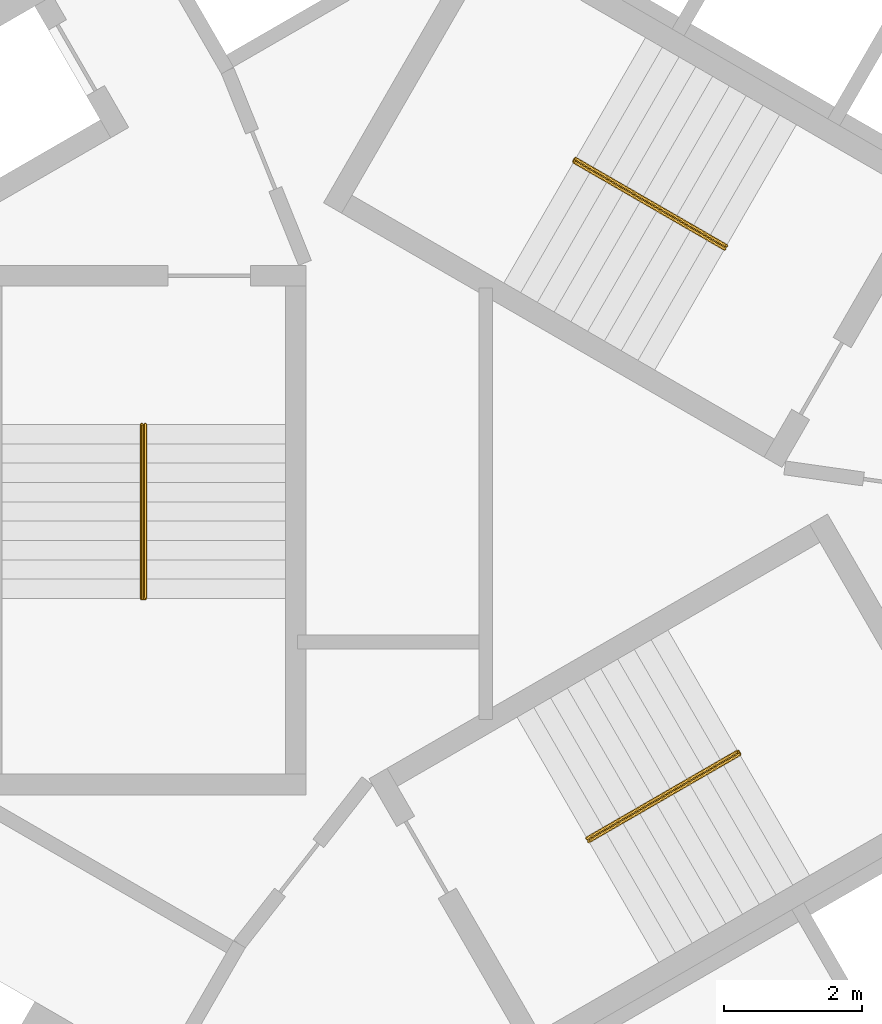
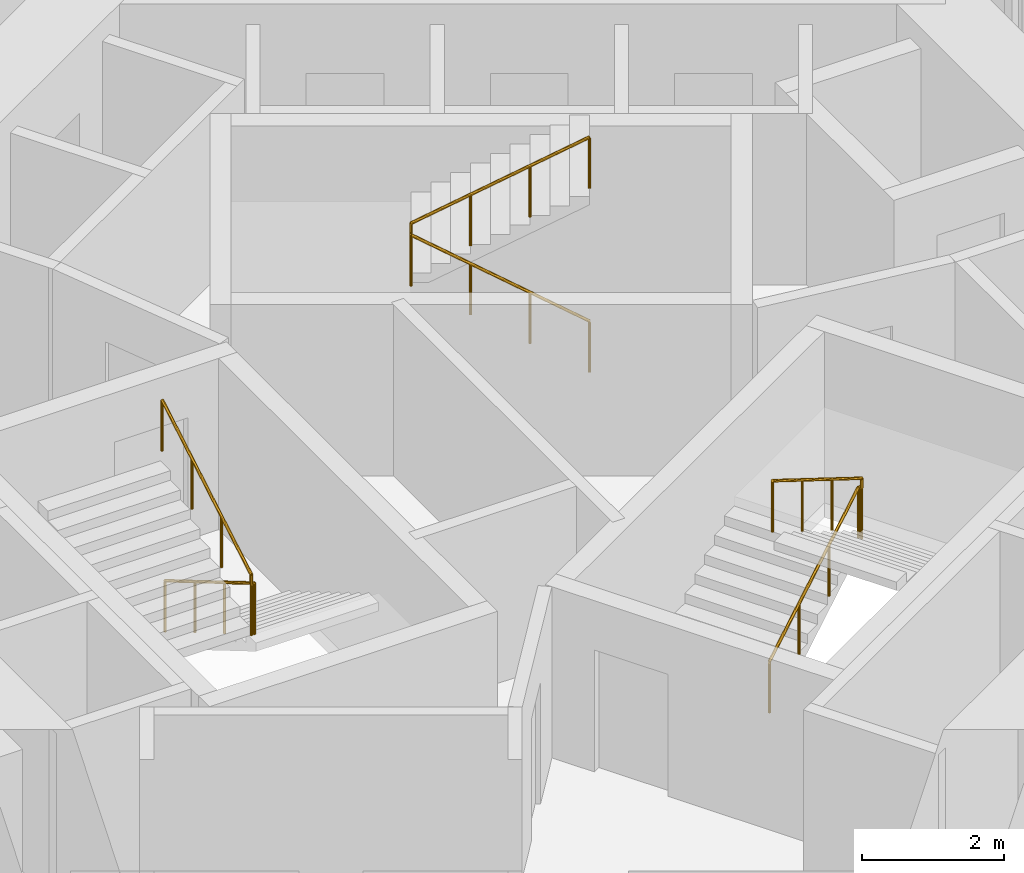
# One storey, part 12 of 12: 3 railings.
"""IFC4 building model written with IfcOpenShell, lengths in metres."""

from ifc_helpers import new_model, si_unit, direction, frame, origin, origin_2d, place, context, subcontext, project, spatial, circle, extrude, material, type_object, element, save


model = new_model("IFC4")

# Units and contexts
model_context = context("Model", 3, precision=1e-05, world=origin(), true_north=direction((0.0, 1.0)))
body_context = subcontext(model_context, "Body", "Model", "MODEL_VIEW")
ifc_project = project(units=[si_unit("LENGTHUNIT", "METRE"), si_unit("AREAUNIT", "SQUARE_METRE"), si_unit("VOLUMEUNIT", "CUBIC_METRE"), si_unit("PLANEANGLEUNIT", "RADIAN"), si_unit("MASSUNIT", "GRAM", prefix="KILO")], contexts=[model_context])

# Site, building, storey
site_placement = place(None, origin())
site = spatial("IfcSite", under=ifc_project, at=site_placement, CompositionType="ELEMENT")
building_placement = place(site_placement, origin())
building = spatial("IfcBuilding", under=site, at=building_placement, Name="Vanh Sen Convention Tower", CompositionType="ELEMENT")
storey_placement = place(building_placement, frame((0.0, 0.0, 116.60009765625)))
storey = spatial("IfcBuildingStorey", under=building, at=storey_placement, Name="L28", CompositionType="ELEMENT", Elevation=116.60009765625)

# Railings
ifc_material = material(Name="Stainless steel handrail", Category="steel")
railing_type = type_object("IfcRailingType", Name="Stair handrail 900", PredefinedType="HANDRAIL", material=ifc_material)
railing_1_placement = place(storey_placement, frame((3.45849609375, 3.690185546875, 0.164794921875)))
element("IfcRailing", 1, at=railing_1_placement, inside=storey, type_object=railing_type, Name="Stair handrail ST1 L28", PredefinedType="HANDRAIL", context=body_context, shape_type="SweptSolid", body=[
    extrude(circle(Radius=0.02392578125, at=origin_2d()), frame((0.0, 0.0, 0.8759765625), z_axis=(-0.746134546661, 0.430738299252, 0.507688640642), x_axis=(-0.499962843328, -0.866046855136, 0.0)), (0.0, 0.0, 1.0), 2.92529296875),
    extrude(circle(Radius=0.02392578125, at=origin_2d()), frame((-2.1826171875, 1.260009765625, 2.36083984375), z_axis=(0.502959906984, 0.86430974307, 0.0), x_axis=(-0.86430974307, 0.502959906984, 0.0)), (0.0, 0.0, 1.0), 0.050048828125),
    extrude(circle(Radius=0.02392578125, at=origin_2d()), frame((-2.157470703125, 1.30322265625, 2.36083984375), z_axis=(0.0, 0.0, 1.0), x_axis=(1.0, 0.0, 0.0)), (0.0, 0.0, 1.0), 0.1650390625),
    extrude(circle(Radius=0.02392578125, at=origin_2d()), frame((-2.157470703125, 1.30322265625, 2.52587890625), z_axis=(0.746129163535, -0.430783377672, 0.507658303235), x_axis=(0.500004791531, 0.866022637375, 0.0)), (0.0, 0.0, 1.0), 2.9248046875),
    extrude(circle(Radius=0.02099609375, at=origin_2d()), origin(), (0.0, 0.0, 1.0), 0.851806640625),
    extrude(circle(Radius=0.02099609375, at=origin_2d()), frame((-0.7275390625, 0.419921875, 0.4951171875)), (0.0, 0.0, 1.0), 0.851806640625),
    extrude(circle(Radius=0.02099609375, at=origin_2d()), frame((-1.455078125, 0.840087890625, 0.989990234375)), (0.0, 0.0, 1.0), 0.851806640625),
    extrude(circle(Radius=0.02099609375, at=origin_2d()), frame((-2.1826171875, 1.260009765625, 1.485107421875)), (0.0, 0.0, 1.0), 0.851806640625),
    extrude(circle(Radius=0.02099609375, at=origin_2d()), frame((-2.157470703125, 1.30322265625, 1.485107421875)), (0.0, 0.0, 1.0), 0.851806640625),
    extrude(circle(Radius=0.02099609375, at=origin_2d()), frame((-2.157470703125, 1.30322265625, 1.650146484375)), (0.0, 0.0, 1.0), 0.851806640625),
    extrude(circle(Radius=0.02099609375, at=origin_2d()), frame((-1.429931640625, 0.88330078125, 2.14501953125)), (0.0, 0.0, 1.0), 0.851806640625),
    extrude(circle(Radius=0.02099609375, at=origin_2d()), frame((-0.70263671875, 0.463134765625, 2.64013671875)), (0.0, 0.0, 1.0), 0.851806640625),
    extrude(circle(Radius=0.02099609375, at=origin_2d()), frame((0.02490234375, 0.043212890625, 3.135009765625)), (0.0, 0.0, 1.0), 0.851806640625),
])
railing_2_placement = place(storey_placement, frame((-4.925048828125, 1.14990234375, 0.164794921875)))
element("IfcRailing", 2, at=railing_2_placement, inside=storey, type_object=railing_type, Name="Stair handrail ST2 L28", PredefinedType="HANDRAIL", context=body_context, shape_type="SweptSolid", body=[
    extrude(circle(Radius=0.02392578125, at=origin_2d()), frame((0.0, 0.0, 0.8759765625), z_axis=(0.0, -0.86152411907, 0.507716645641), x_axis=(1.0, 0.0, 0.0)), (0.0, 0.0, 1.0), 2.925048828125),
    extrude(circle(Radius=0.02392578125, at=origin_2d()), frame((0.0, -2.52001953125, 2.36083984375), z_axis=(-1.0, 0.0, 0.0), x_axis=(0.0, -1.0, 0.0)), (0.0, 0.0, 1.0), 0.050048828125),
    extrude(circle(Radius=0.02392578125, at=origin_2d()), frame((-0.050048828125, -2.52001953125, 2.36083984375), z_axis=(0.0, 0.0, 1.0), x_axis=(1.0, 0.0, 0.0)), (0.0, 0.0, 1.0), 0.1650390625),
    extrude(circle(Radius=0.02392578125, at=origin_2d()), frame((-0.050048828125, -2.52001953125, 2.52587890625), z_axis=(0.0, 0.861560626758, 0.507654692109), x_axis=(-1.0, 0.0, 0.0)), (0.0, 0.0, 1.0), 2.925048828125),
    extrude(circle(Radius=0.02099609375, at=origin_2d()), origin(), (0.0, 0.0, 1.0), 0.851806640625),
    extrude(circle(Radius=0.02099609375, at=origin_2d()), frame((0.0, -0.840087890625, 0.4951171875)), (0.0, 0.0, 1.0), 0.851806640625),
    extrude(circle(Radius=0.02099609375, at=origin_2d()), frame((0.0, -1.679931640625, 0.989990234375)), (0.0, 0.0, 1.0), 0.851806640625),
    extrude(circle(Radius=0.02099609375, at=origin_2d()), frame((0.0, -2.52001953125, 1.485107421875)), (0.0, 0.0, 1.0), 0.851806640625),
    extrude(circle(Radius=0.02099609375, at=origin_2d()), frame((-0.050048828125, -2.52001953125, 1.485107421875)), (0.0, 0.0, 1.0), 0.851806640625),
    extrude(circle(Radius=0.02099609375, at=origin_2d()), frame((-0.050048828125, -2.52001953125, 1.650146484375)), (0.0, 0.0, 1.0), 0.851806640625),
    extrude(circle(Radius=0.02099609375, at=origin_2d()), frame((-0.050048828125, -1.679931640625, 2.14501953125)), (0.0, 0.0, 1.0), 0.851806640625),
    extrude(circle(Radius=0.02099609375, at=origin_2d()), frame((-0.050048828125, -0.840087890625, 2.64013671875)), (0.0, 0.0, 1.0), 0.851806640625),
    extrude(circle(Radius=0.02099609375, at=origin_2d()), frame((-0.050048828125, 0.0, 3.135009765625)), (0.0, 0.0, 1.0), 0.851806640625),
])
railing_3_placement = place(storey_placement, frame((1.466552734375, -4.840087890625, 0.164794921875)))
element("IfcRailing", 3, at=railing_3_placement, inside=storey, type_object=railing_type, Name="Stair handrail ST3 L28", PredefinedType="HANDRAIL", context=body_context, shape_type="SweptSolid", body=[
    extrude(circle(Radius=0.02392578125, at=origin_2d()), frame((0.0, 0.0, 0.8759765625), z_axis=(0.746097546679, 0.430765123438, 0.507720256902), x_axis=(-0.500004791531, 0.866022637375, 0.0)), (0.0, 0.0, 1.0), 2.925048828125),
    extrude(circle(Radius=0.02392578125, at=origin_2d()), frame((2.182373046875, 1.260009765625, 2.36083984375), z_axis=(0.500844580232, -0.86553723574, 0.0), x_axis=(0.86553723574, 0.500844580232, 0.0)), (0.0, 0.0, 1.0), 0.05029296875),
    extrude(circle(Radius=0.02392578125, at=origin_2d()), frame((2.20751953125, 1.216552734375, 2.36083984375), z_axis=(0.0, 0.0, 1.0), x_axis=(1.0, 0.0, 0.0)), (0.0, 0.0, 1.0), 0.1650390625),
    extrude(circle(Radius=0.02392578125, at=origin_2d()), frame((2.20751953125, 1.216552734375, 2.52587890625), z_axis=(-0.746129163535, -0.430783377672, 0.507658303235), x_axis=(0.500004791531, -0.866022637375, 0.0)), (0.0, 0.0, 1.0), 2.9248046875),
    extrude(circle(Radius=0.02099609375, at=origin_2d()), origin(), (0.0, 0.0, 1.0), 0.851806640625),
    extrude(circle(Radius=0.02099609375, at=origin_2d()), frame((0.7275390625, 0.419921875, 0.4951171875)), (0.0, 0.0, 1.0), 0.851806640625),
    extrude(circle(Radius=0.02099609375, at=origin_2d()), frame((1.454833984375, 0.840087890625, 0.989990234375)), (0.0, 0.0, 1.0), 0.851806640625),
    extrude(circle(Radius=0.02099609375, at=origin_2d()), frame((2.182373046875, 1.260009765625, 1.485107421875)), (0.0, 0.0, 1.0), 0.851806640625),
    extrude(circle(Radius=0.02099609375, at=origin_2d()), frame((2.20751953125, 1.216552734375, 1.485107421875)), (0.0, 0.0, 1.0), 0.851806640625),
    extrude(circle(Radius=0.02099609375, at=origin_2d()), frame((2.20751953125, 1.216552734375, 1.650146484375)), (0.0, 0.0, 1.0), 0.851806640625),
    extrude(circle(Radius=0.02099609375, at=origin_2d()), frame((1.47998046875, 0.796630859375, 2.14501953125)), (0.0, 0.0, 1.0), 0.851806640625),
    extrude(circle(Radius=0.02099609375, at=origin_2d()), frame((0.752685546875, 0.37646484375, 2.64013671875)), (0.0, 0.0, 1.0), 0.851806640625),
    extrude(circle(Radius=0.02099609375, at=origin_2d()), frame((0.025146484375, -0.04345703125, 3.135009765625)), (0.0, 0.0, 1.0), 0.851806640625),
])

save(model, "model.ifc")
